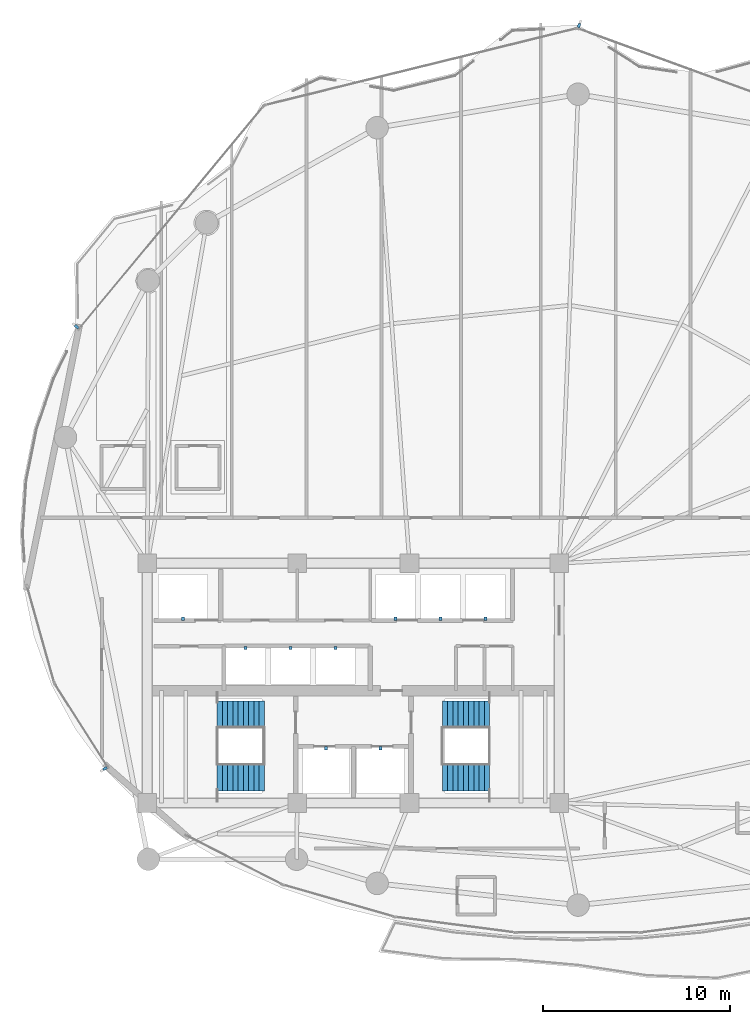
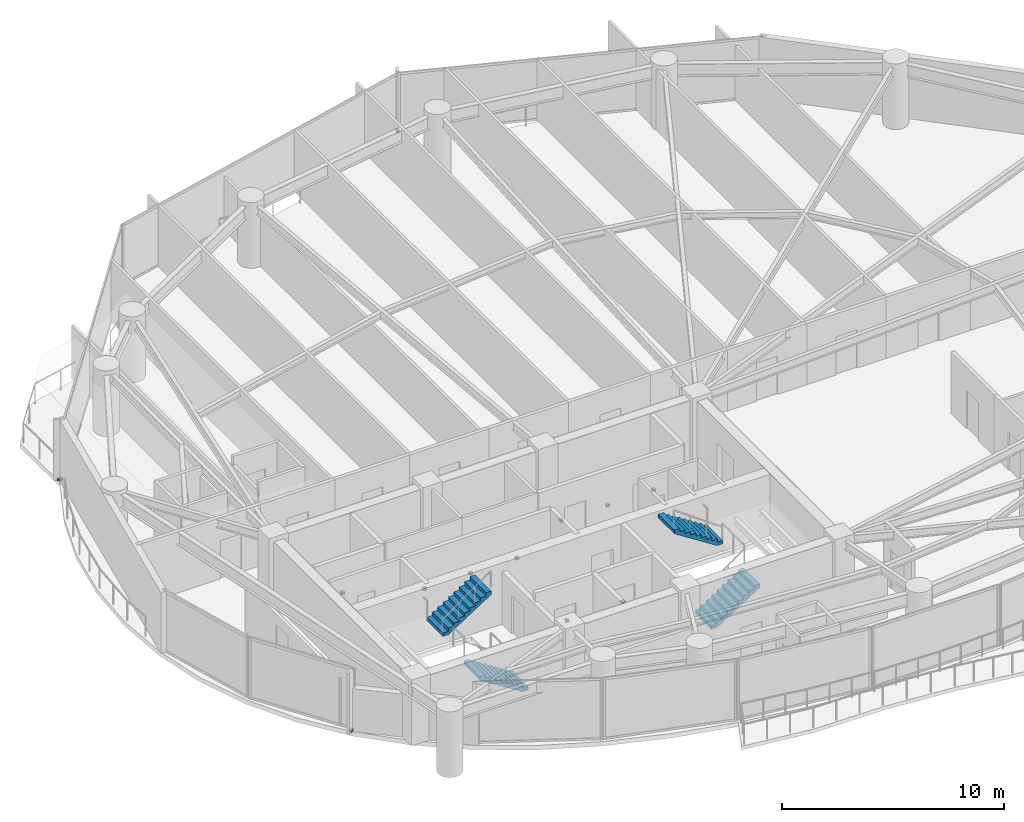
# One storey, part 25 of 28: 12 discrete accessories, 4 stair flights, 2 elements without a shape of their own.
"""IFC4 building model written with IfcOpenShell, lengths in metres."""

import ifcopenshell
import ifcopenshell.guid

model = None  # the IFC model being written
_history = None  # IfcOwnerHistory: only IFC2X3 demands one
_inside = {}  # id of a spatial element -> (the spatial element, [elements in it])
_under = {}  # id of a project, library or spatial element -> (it, [spatial elements below it])
_declared = {}  # id of a project -> (the project, [libraries it declares])
_typed = {}  # id of a type object -> (the type object, [elements of that type])
_made_of = {}  # id of a material, layer set ... -> (it, [elements and type objects made of it])


def new_model(schema):
    """Start an empty IFC model of exactly this schema.

    Asked for "IFC4X3", IfcOpenShell would pick the latest addendum, in which some entities
    have other attributes; the version numbers below select the first issue.
    IFC2X3 requires an IfcOwnerHistory on every rooted entity: one is made here for all.
    """
    global model, _history
    if schema == "IFC4X3":
        model = ifcopenshell.file(schema_version=(4, 3, 0, 0))
    else:
        model = ifcopenshell.file(schema=schema)
    _inside.clear()
    _under.clear()
    _declared.clear()
    _typed.clear()
    _made_of.clear()
    _history = None
    if model.schema == "IFC2X3":
        org = make("IfcOrganization", Name="unknown")
        user = make(
            "IfcPersonAndOrganization",
            ThePerson=make("IfcPerson", FamilyName="unknown"),
            TheOrganization=org,
        )
        app = make(
            "IfcApplication",
            ApplicationDeveloper=org,
            Version="unknown",
            ApplicationFullName="unknown",
            ApplicationIdentifier="unknown",
        )
        _history = make(
            "IfcOwnerHistory",
            OwningUser=user,
            OwningApplication=app,
            ChangeAction="ADDED",
            CreationDate=0,
        )
    return model


def make(cls, **values):
    """One entity of the class cls with the attributes given. An attribute that is None is left unset."""
    return model.create_entity(
        cls, **{name: value for name, value in values.items() if value is not None}
    )


def rooted(cls, **values):
    """An entity with a GlobalId (a new one), such as an element, a storey or a relation."""
    return make(cls, GlobalId=ifcopenshell.guid.new(), OwnerHistory=_history, **values)


def si_unit(unit_type, name, prefix=None):
    """IfcSIUnit, for example si_unit("LENGTHUNIT", "METRE", prefix="MILLI")."""
    return make("IfcSIUnit", UnitType=unit_type, Prefix=prefix, Name=name)


def assignment(units):
    """IfcUnitAssignment: the units of a project."""
    return None if units is None else make("IfcUnitAssignment", Units=units)


def point(xyz):
    """IfcCartesianPoint."""
    return None if xyz is None else make("IfcCartesianPoint", Coordinates=xyz)


def direction(xyz):
    """IfcDirection."""
    return None if xyz is None else make("IfcDirection", DirectionRatios=xyz)


def frame(location, z_axis=None, x_axis=None):
    """IfcAxis2Placement3D, a coordinate frame: its origin and axes. An axis left out is left unset."""
    return make(
        "IfcAxis2Placement3D",
        Location=point(location),
        Axis=direction(z_axis),
        RefDirection=direction(x_axis),
    )


def frame_2d(location, x_axis=None):
    """IfcAxis2Placement2D, a coordinate frame in the plane: its origin and x axis."""
    return make(
        "IfcAxis2Placement2D", Location=point(location), RefDirection=direction(x_axis)
    )


def origin():
    """The frame at (0, 0, 0) with its axes left unset."""
    return frame((0.0, 0.0, 0.0))


def origin_2d():
    """The frame at (0, 0) in the plane with its x axis left unset."""
    return frame_2d((0.0, 0.0))


def place(relative_to, where):
    """IfcLocalPlacement: puts the frame where relative to a parent placement (None: the world)."""
    return make(
        "IfcLocalPlacement", PlacementRelTo=relative_to, RelativePlacement=where
    )


def context(
    kind, dimensions, precision=None, world=None, true_north=None, identifier=None
):
    """IfcGeometricRepresentationContext, for example the 3D "Model" context."""
    return make(
        "IfcGeometricRepresentationContext",
        ContextIdentifier=identifier,
        ContextType=kind,
        CoordinateSpaceDimension=dimensions,
        Precision=precision,
        WorldCoordinateSystem=world,
        TrueNorth=true_north,
    )


def subcontext(parent, identifier, kind, view, scale=None):
    """IfcGeometricRepresentationSubContext, for example "Body" below "Model"."""
    return make(
        "IfcGeometricRepresentationSubContext",
        ContextIdentifier=identifier,
        ContextType=kind,
        ParentContext=parent,
        TargetScale=scale,
        TargetView=view,
    )


def project(units=None, contexts=None):
    """IfcProject with its units and contexts."""
    return rooted(
        "IfcProject",
        Name="project",
        RepresentationContexts=contexts,
        UnitsInContext=assignment(units),
    )


def spatial(cls, under=None, at=None, **own):
    """A site, building, storey or space (cls), placed at a placement, below another one or the project."""
    s = rooted(cls, ObjectPlacement=at, **own)
    if under is not None:
        _under.setdefault(under.id(), (under, []))[1].append(s)
    return s


def polyline(points):
    """IfcPolyline through the points."""
    return make("IfcPolyline", Points=[point(p) for p in points])


def profile(cls, at=None, kind="AREA", **sizes):
    """A parametric profile (cls). Its sizes go by their IFC names, for example OverallWidth=200.0."""
    return make(cls, ProfileType=kind, Position=at, **sizes)


def rectangle(**sizes):
    """IfcRectangleProfileDef."""
    return profile("IfcRectangleProfileDef", **sizes)


def outline(outer, holes=None, kind="AREA"):
    """IfcArbitraryClosedProfileDef: a profile drawn as a closed curve; with holes, ...WithVoids."""
    if holes is None:
        return make("IfcArbitraryClosedProfileDef", ProfileType=kind, OuterCurve=outer)
    return make(
        "IfcArbitraryProfileDefWithVoids",
        ProfileType=kind,
        OuterCurve=outer,
        InnerCurves=holes,
    )


def extrude(swept, where, along, depth):
    """IfcExtrudedAreaSolid: the profile swept, set in the frame where, extruded along a direction by depth."""
    return make(
        "IfcExtrudedAreaSolid",
        SweptArea=swept,
        Position=where,
        ExtrudedDirection=direction(along),
        Depth=depth,
    )


def shape(context_of_items, identifier, shape_type, items):
    """IfcShapeRepresentation: the items that make up one representation, for example the "Body"."""
    return make(
        "IfcShapeRepresentation",
        ContextOfItems=context_of_items,
        RepresentationIdentifier=identifier,
        RepresentationType=shape_type,
        Items=items,
    )


def material(Name=None, Category=None):
    """IfcMaterial."""
    return make("IfcMaterial", Name=Name, Category=Category)


def layer(
    of_material, thickness, ventilated=None, Name=None, Category=None, Priority=None
):
    """IfcMaterialLayer: one layer of a wall or slab, of a material (None: an air gap)."""
    return make(
        "IfcMaterialLayer",
        Material=of_material,
        LayerThickness=thickness,
        IsVentilated=ventilated,
        Name=Name,
        Category=Category,
        Priority=Priority,
    )


def layer_set(layers, Name=None):
    """IfcMaterialLayerSet."""
    return make("IfcMaterialLayerSet", MaterialLayers=layers, LayerSetName=Name)


def made_of(thing, what):
    """Note that an element or type object is made of a material, layer set ...; save() writes the relation."""
    if what is not None:
        _made_of.setdefault(what.id(), (what, []))[1].append(thing)
    return thing


def type_object(cls, material=None, **own):
    """A type object (cls), such as IfcWallType, which elements share."""
    return made_of(rooted(cls, **own), material)


def element(
    cls,
    number,
    at=None,
    inside=None,
    cuts=None,
    type_object=None,
    material=None,
    context=None,
    identifier="Body",
    shape_type=None,
    held_by="IfcProductDefinitionShape",
    body=None,
    shapes=None,
    **own,
):
    """One element of the class cls, such as IfcWall. Its Tag is "e" and its number.

    at: its placement. inside: the storey or other place that contains it. cuts: it is an
    opening in that element (IfcRelVoidsElement). A single representation is given by context,
    identifier, shape_type and body (its items); several are given by shapes. held_by: the class
    of the entity that holds the representations. save() writes the other relations.
    """
    e = rooted(cls, Tag="e%d" % number, ObjectPlacement=at, **own)
    if body is not None:
        shapes = [shape(context, identifier, shape_type, body)]
    if shapes is not None:
        e.Representation = make(held_by, Representations=shapes)
    if inside is not None:
        _inside.setdefault(inside.id(), (inside, []))[1].append(e)
    if cuts is not None:
        rooted(
            "IfcRelVoidsElement", RelatingBuildingElement=cuts, RelatedOpeningElement=e
        )
    if type_object is not None:
        _typed.setdefault(type_object.id(), (type_object, []))[1].append(e)
    return made_of(e, material)


def aggregate(whole, parts):
    """IfcRelAggregates: a whole, such as a stair, and the parts it consists of."""
    return rooted("IfcRelAggregates", RelatingObject=whole, RelatedObjects=parts)


def save(model, path):
    """Write the relations noted so far, then the file.

    IfcRelAggregates (storeys below a building ...), IfcRelContainedInSpatialStructure (elements
    in a storey), IfcRelDefinesByType, IfcRelAssociatesMaterial and IfcRelDeclares: one each for
    every whole, place, type object, material and project.
    """
    for whole, parts in _under.values():
        aggregate(whole, parts)
    for where, things in _inside.values():
        rooted(
            "IfcRelContainedInSpatialStructure",
            RelatedElements=things,
            RelatingStructure=where,
        )
    for kind, things in _typed.values():
        rooted("IfcRelDefinesByType", RelatedObjects=things, RelatingType=kind)
    for what, things in _made_of.values():
        rooted("IfcRelAssociatesMaterial", RelatedObjects=things, RelatingMaterial=what)
    for by, libraries in _declared.values():
        rooted("IfcRelDeclares", RelatingContext=by, RelatedDefinitions=libraries)
    model.write(path)


model = new_model("IFC4")

# Units and contexts
model_context = context("Model", 3, precision=1e-05, world=origin(), true_north=direction((0.0, 1.0)))
body_context = subcontext(model_context, "Body", "Model", "MODEL_VIEW")
ifc_project = project(units=[si_unit("LENGTHUNIT", "METRE"), si_unit("AREAUNIT", "SQUARE_METRE"), si_unit("VOLUMEUNIT", "CUBIC_METRE"), si_unit("PLANEANGLEUNIT", "RADIAN"), si_unit("MASSUNIT", "GRAM", prefix="KILO")], contexts=[model_context])

# Site, building, storey
site_placement = place(None, origin())
site = spatial("IfcSite", under=ifc_project, at=site_placement, CompositionType="ELEMENT")
building_placement = place(site_placement, origin())
building = spatial("IfcBuilding", under=site, at=building_placement, Name="Kazevale Care Tower and Concert Hall", CompositionType="ELEMENT")
storey_placement = place(building_placement, frame((0.0, 0.0, 142.199951171875)))
storey = spatial("IfcBuildingStorey", under=building, at=storey_placement, Name="L37", CompositionType="ELEMENT", Elevation=142.199951171875)

# Stair, stair flights
ifc_material_1 = material(Name="Concrete C40", Category="concrete")
stair_type = type_object("IfcStairType", Name="Exit Stair Assembly ST1-Z2", PredefinedType="HALF_TURN_STAIR", material=ifc_material_1)
stair_1_placement = place(storey_placement, origin())
stair_1 = element("IfcStair", 1, at=stair_1_placement, inside=storey, type_object=stair_type, Name="stair:L37:ST1", PredefinedType="HALF_TURN_STAIR")
ifc_layer = layer(ifc_material_1, 0.159912109375)
ifc_layer_set = layer_set([ifc_layer], Name="Concrete C40")
stair_flight_type = type_object("IfcStairFlightType", Name="Exit Stair Flight ST1-Z2", PredefinedType="STRAIGHT", material=ifc_layer_set)
stair_flight_1_placement = place(storey_placement, frame((28.25, 24.97998046875, 0.0), z_axis=(0.0, 0.0, 1.0), x_axis=(-1.0, 0.0, 0.0)))
stair_flight_1 = element("IfcStairFlight", 2, at=stair_flight_1_placement, type_object=stair_flight_type, Name="ST1-Z2 flight 1", NumberOfRisers=10, NumberOfTreads=9, PredefinedType="STRAIGHT", RiserHeight=0.18, TreadLength=0.28, context=body_context, shape_type="SweptSolid", body=[
    extrude(outline(polyline([(0.0, 0.0), (0.0, 0.179931640625), (0.280029296875, 0.179931640625), (0.280029296875, 0.360107421875), (0.56005859375, 0.360107421875), (0.56005859375, 0.5400390625), (0.840087890625, 0.5400390625), (0.840087890625, 0.719970703125), (1.1201171875, 0.719970703125), (1.1201171875, 0.89990234375), (1.39990234375, 0.89990234375), (1.39990234375, 1.080078125), (1.679931640625, 1.080078125), (1.679931640625, 1.260009765625), (1.9599609375, 1.260009765625), (1.9599609375, 1.43994140625), (2.239990234375, 1.43994140625), (2.239990234375, 1.6201171875), (2.52001953125, 1.6201171875), (2.52001953125, 1.800048828125), (2.52001953125, 1.429931640625), (0.295654296875, 0.0), (0.0, 0.0)])), frame((0.0, 0.72998046875, 0.0), z_axis=(0.0, -1.0, 0.0), x_axis=(1.0, 0.0, 0.0)), (0.0, 0.0, 1.0), 1.4599609375),
])
stair_flight_2_placement = place(storey_placement, frame((25.72998046875, 28.320068359375, 1.800048828125), z_axis=(0.0, 0.0, 1.0), x_axis=(1.0, 0.0, 0.0)))
stair_flight_2 = element("IfcStairFlight", 3, at=stair_flight_2_placement, type_object=stair_flight_type, Name="ST1-Z2 flight 2", NumberOfRisers=10, NumberOfTreads=9, PredefinedType="STRAIGHT", RiserHeight=0.18, TreadLength=0.28, context=body_context, shape_type="SweptSolid", body=[
    extrude(outline(polyline([(0.0, 0.0), (0.0, 0.179931640625), (0.280029296875, 0.179931640625), (0.280029296875, 0.360107421875), (0.56005859375, 0.360107421875), (0.56005859375, 0.5400390625), (0.840087890625, 0.5400390625), (0.840087890625, 0.719970703125), (1.1201171875, 0.719970703125), (1.1201171875, 0.89990234375), (1.39990234375, 0.89990234375), (1.39990234375, 1.080078125), (1.679931640625, 1.080078125), (1.679931640625, 1.260009765625), (1.9599609375, 1.260009765625), (1.9599609375, 1.43994140625), (2.239990234375, 1.43994140625), (2.239990234375, 1.6201171875), (2.52001953125, 1.6201171875), (2.52001953125, 1.800048828125), (2.52001953125, 1.429931640625), (0.295654296875, 0.0), (0.0, 0.0)])), frame((0.0, 0.72998046875, 0.0), z_axis=(0.0, -1.0, 0.0), x_axis=(1.0, 0.0, 0.0)), (0.0, 0.0, 1.0), 1.4599609375),
])
aggregate(stair_1, [stair_flight_1, stair_flight_2])

stair_2_placement = place(storey_placement, origin())
stair_2 = element("IfcStair", 4, at=stair_2_placement, inside=storey, type_object=stair_type, Name="stair:L37:ST2", PredefinedType="HALF_TURN_STAIR")
stair_flight_3_placement = place(storey_placement, frame((37.75, 24.97998046875, 0.0), z_axis=(0.0, 0.0, 1.0), x_axis=(1.0, 0.0, 0.0)))
stair_flight_3 = element("IfcStairFlight", 5, at=stair_flight_3_placement, type_object=stair_flight_type, Name="ST1-Z2 flight 1", NumberOfRisers=10, NumberOfTreads=9, PredefinedType="STRAIGHT", RiserHeight=0.18, TreadLength=0.28, context=body_context, shape_type="SweptSolid", body=[
    extrude(outline(polyline([(0.0, 0.0), (0.0, 0.179931640625), (0.280029296875, 0.179931640625), (0.280029296875, 0.360107421875), (0.56005859375, 0.360107421875), (0.56005859375, 0.5400390625), (0.840087890625, 0.5400390625), (0.840087890625, 0.719970703125), (1.1201171875, 0.719970703125), (1.1201171875, 0.89990234375), (1.39990234375, 0.89990234375), (1.39990234375, 1.080078125), (1.679931640625, 1.080078125), (1.679931640625, 1.260009765625), (1.9599609375, 1.260009765625), (1.9599609375, 1.43994140625), (2.239990234375, 1.43994140625), (2.239990234375, 1.6201171875), (2.52001953125, 1.6201171875), (2.52001953125, 1.800048828125), (2.52001953125, 1.429931640625), (0.295654296875, 0.0), (0.0, 0.0)])), frame((0.0, 0.72998046875, 0.0), z_axis=(0.0, -1.0, 0.0), x_axis=(1.0, 0.0, 0.0)), (0.0, 0.0, 1.0), 1.4599609375),
])
stair_flight_4_placement = place(storey_placement, frame((40.27001953125, 28.320068359375, 1.800048828125), z_axis=(0.0, 0.0, 1.0), x_axis=(-1.0, 0.0, 0.0)))
stair_flight_4 = element("IfcStairFlight", 6, at=stair_flight_4_placement, type_object=stair_flight_type, Name="ST1-Z2 flight 2", NumberOfRisers=10, NumberOfTreads=9, PredefinedType="STRAIGHT", RiserHeight=0.18, TreadLength=0.28, context=body_context, shape_type="SweptSolid", body=[
    extrude(outline(polyline([(0.0, 0.0), (0.0, 0.179931640625), (0.280029296875, 0.179931640625), (0.280029296875, 0.360107421875), (0.56005859375, 0.360107421875), (0.56005859375, 0.5400390625), (0.840087890625, 0.5400390625), (0.840087890625, 0.719970703125), (1.1201171875, 0.719970703125), (1.1201171875, 0.89990234375), (1.39990234375, 0.89990234375), (1.39990234375, 1.080078125), (1.679931640625, 1.080078125), (1.679931640625, 1.260009765625), (1.9599609375, 1.260009765625), (1.9599609375, 1.43994140625), (2.239990234375, 1.43994140625), (2.239990234375, 1.6201171875), (2.52001953125, 1.6201171875), (2.52001953125, 1.800048828125), (2.52001953125, 1.429931640625), (0.295654296875, 0.0), (0.0, 0.0)])), frame((0.0, 0.72998046875, 0.0), z_axis=(0.0, -1.0, 0.0), x_axis=(1.0, 0.0, 0.0)), (0.0, 0.0, 1.0), 1.4599609375),
])
aggregate(stair_2, [stair_flight_3, stair_flight_4])

# Discrete accessories
ifc_material_2 = material(Name="Stainless Steel 316", Category="steel")
discrete_accessory_type_1 = type_object("IfcDiscreteAccessoryType", Name="Facade Fin Stainless Anchor Bracket BRK-1", PredefinedType="BRACKET", material=ifc_material_2)
for number, where, z_axis, x_axis, name in (
    (7, (19.739013671875, 25.4443359375, 0.0), (0.0, 0.0, 1.0), (-0.843391445813, -0.537299608347, 0.0), "cw:L37:f11:brk"),
    (8, (18.2265625, 49.0322265625, 0.0), (0.0, 0.0, 1.0), (-0.770068049148, 0.637961754089, 0.0), "cw:L37:f14:brk"),
    (9, (45.0478515625, 65.113037109375, 0.0), (0.0, 0.0, 1.0), (0.343167938899, 0.939274063153, 0.0), "cw:L37:f16:brk"),
):
    element("IfcDiscreteAccessory", number, at=place(storey_placement, frame(where, z_axis=z_axis, x_axis=x_axis)), inside=storey, type_object=discrete_accessory_type_1, Name=name, PredefinedType="BRACKET", context=body_context, shape_type="SweptSolid", body=[
        extrude(rectangle(XDim=0.239990234375, YDim=0.139892578125, at=origin_2d()), origin(), (0.0, 0.0, 1.0), 0.1201171875),
    ])
discrete_accessory_type_2 = type_object("IfcDiscreteAccessoryType", Name="Hoistway Guide-Rail Wall Bracket HBRK-1", PredefinedType="BRACKET", material=ifc_material_2)
for number, where, z_axis, x_axis, name in (
    (10, (31.550048828125, 26.52001953125, 1.239990234375), (0.0, 0.0, 1.0), (1.0, 0.0, 0.0), "hbrk:FFL-1:L37"),
    (11, (34.449951171875, 26.52001953125, 1.239990234375), (0.0, 0.0, 1.0), (1.0, 0.0, 0.0), "hbrk:FFL-2:L37"),
    (12, (23.89990234375, 33.449951171875, 1.239990234375), (0.0, 0.0, 1.0), (1.0, 0.0, 0.0), "hbrk:SVL-1:L37"),
    (13, (35.25, 33.449951171875, 1.239990234375), (0.0, 0.0, 1.0), (1.0, 0.0, 0.0), "hbrk:PM-1:L37"),
    (14, (37.64990234375, 33.449951171875, 1.239990234375), (0.0, 0.0, 1.0), (1.0, 0.0, 0.0), "hbrk:PM-2:L37"),
    (15, (40.050048828125, 33.449951171875, 1.239990234375), (0.0, 0.0, 1.0), (1.0, 0.0, 0.0), "hbrk:PM-3:L37"),
    (16, (27.25, 31.8798828125, 1.239990234375), (0.0, 0.0, 1.0), (1.0, 0.0, 0.0), "hbrk:PH-1:L37"),
    (17, (29.64990234375, 31.8798828125, 1.239990234375), (0.0, 0.0, 1.0), (1.0, 0.0, 0.0), "hbrk:PH-2:L37"),
    (18, (32.050048828125, 31.8798828125, 1.239990234375), (0.0, 0.0, 1.0), (1.0, 0.0, 0.0), "hbrk:PH-3:L37"),
):
    element("IfcDiscreteAccessory", number, at=place(storey_placement, frame(where, z_axis=z_axis, x_axis=x_axis)), inside=storey, type_object=discrete_accessory_type_2, Name=name, PredefinedType="BRACKET", context=body_context, shape_type="SweptSolid", body=[
        extrude(rectangle(XDim=0.159912109375, YDim=0.179931640625, at=origin_2d()), origin(), (0.0, 0.0, 1.0), 0.1201171875),
    ])

save(model, "model.ifc")
